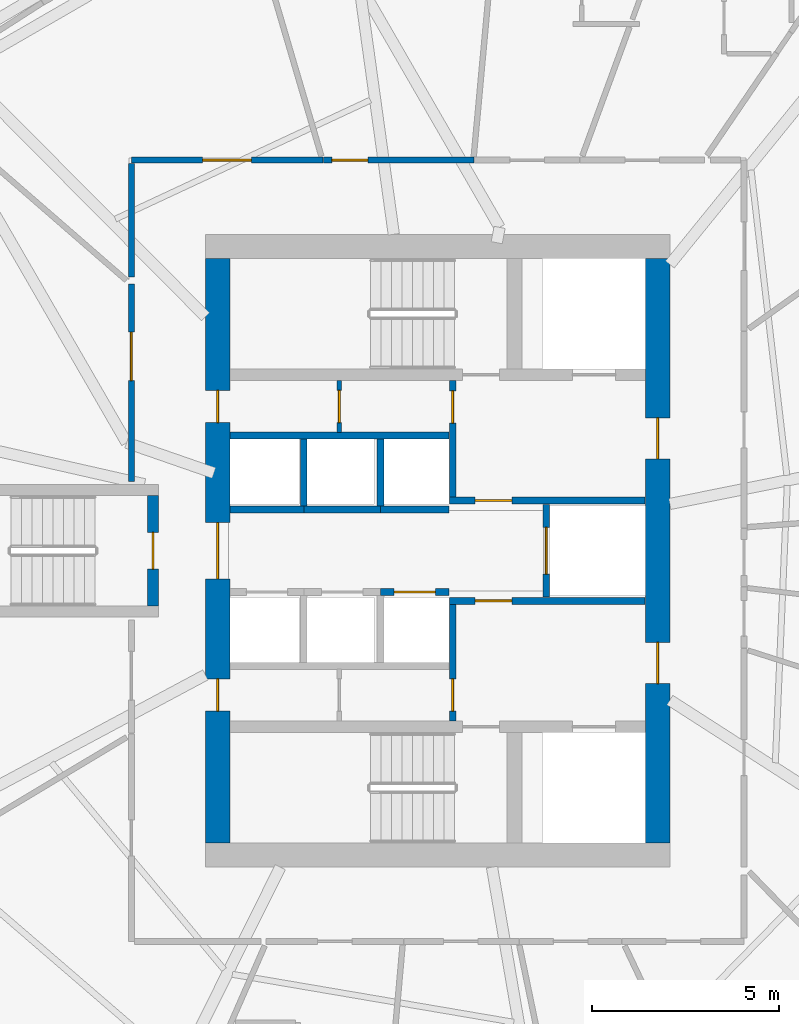
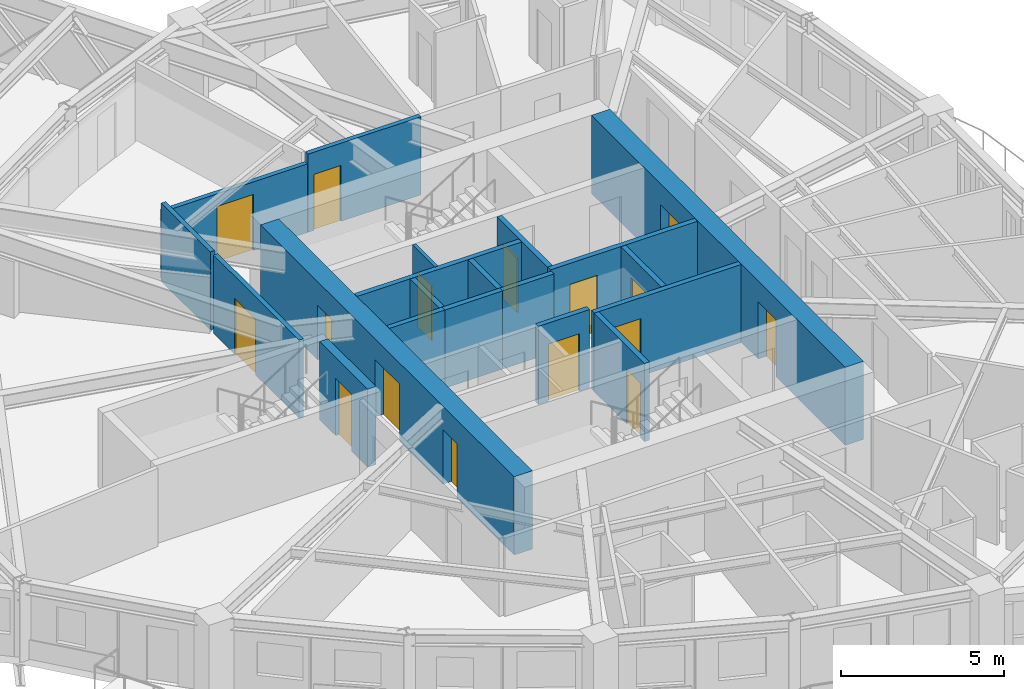
# One storey, part 8 of 16: 20 walls, 16 doors, 16 openings.
"""IFC4 building model written with IfcOpenShell, lengths in metres."""

from ifc_helpers import new_model, si_unit, direction, frame, frame_2d, origin, place, context, subcontext, project, spatial, rectangle, extrude, source, transform, mapped, material, layer, layer_set, type_object, element, fill, save


model = new_model("IFC4")

# Units and contexts
model_context = context("Model", 3, precision=1e-05, world=origin(), true_north=direction((0.0, 1.0)))
body_context = subcontext(model_context, "Body", "Model", "MODEL_VIEW")
ifc_project = project(units=[si_unit("LENGTHUNIT", "METRE"), si_unit("AREAUNIT", "SQUARE_METRE"), si_unit("VOLUMEUNIT", "CUBIC_METRE"), si_unit("PLANEANGLEUNIT", "RADIAN"), si_unit("MASSUNIT", "GRAM", prefix="KILO")], contexts=[model_context])

# Site, building, storey
site_placement = place(None, origin())
site = spatial("IfcSite", under=ifc_project, at=site_placement, CompositionType="ELEMENT")
building_placement = place(site_placement, origin())
building = spatial("IfcBuilding", under=site, at=building_placement, Name="Qafzar Sky-Pleat Residences", CompositionType="ELEMENT")
storey_placement = place(building_placement, frame((0.0, 0.0, 80.0)))
storey = spatial("IfcBuildingStorey", under=building, at=storey_placement, Name="L23", CompositionType="ELEMENT", Elevation=80.0)

# Wall, opening, door
ifc_material_1 = material(Name="Acoustic gypsum plasterboard partition", Category="gypsum")
ifc_layer_1 = layer(ifc_material_1, 0.159912109375)
ifc_layer_set_1 = layer_set([ifc_layer_1], Name="Acoustic gypsum plasterboard partition")
wall_type_1 = type_object("IfcWallType", Name="PART-COR-160", PredefinedType="PARTITIONING", material=ifc_layer_set_1)
wall_1_placement = place(storey_placement, frame((22.169921875, 27.85009765625, 0.0), z_axis=(0.0, 0.0, 1.0), x_axis=(0.0, 1.0, 0.0)))
wall_1 = element("IfcWall", 1, at=wall_1_placement, inside=storey, type_object=wall_type_1, Name="L23 Partition Wall PART-L23-PW-004", PredefinedType="PARTITIONING", context=body_context, shape_type="SweptSolid", body=[
    extrude(rectangle(XDim=5.27587890625, YDim=0.159912109375, at=frame_2d((2.637939453125, 0.0))), origin(), (0.0, 0.0, 1.0), 2.93505859375),
])
opening_1_placement = place(wall_1_placement, frame((2.689453125, 0.0, 0.0)))
opening_1 = element("IfcOpeningElement", 2, at=opening_1_placement, cuts=wall_1, Name="Opening ID-05", PredefinedType="OPENING", context=body_context, shape_type="SweptSolid", body=[
    extrude(rectangle(XDim=1.300048828125, YDim=2.10009765625, at=frame_2d((0.64990234375, 1.050048828125))), frame((0.0, 0.08984375, 0.0), z_axis=(0.0, -1.0, 0.0), x_axis=(1.0, 0.0, 0.0)), (0.0, 0.0, 1.0), 0.179931640625),
])
ifc_material_2 = material(Name="Timber-faced fire door", Category="wood")
door_type_1 = type_object("IfcDoorType", Name="DR-LNG-1300", OperationType="DOUBLE_DOOR_SINGLE_SWING", PredefinedType="DOOR", material=ifc_material_2)
shared_shape_1 = source(origin(), body_context, "Body", "SweptSolid", [
    extrude(rectangle(XDim=1.300048828125, YDim=2.10009765625, at=frame_2d((0.64990234375, 1.050048828125))), frame((0.0, 0.02490234375, 0.0), z_axis=(0.0, -1.0, 0.0), x_axis=(1.0, 0.0, 0.0)), (0.0, 0.0, 1.0), 0.050048828125),
])
door_1_placement = place(opening_1_placement, origin())
door_1 = element("IfcDoor", 3, at=door_1_placement, inside=storey, type_object=door_type_1, Name="L23 Academic Seminar Room Door", OperationType="DOUBLE_DOOR_SINGLE_SWING", OverallHeight=2.10009765625, OverallWidth=1.300048828125, PredefinedType="DOOR", context=body_context, shape_type="MappedRepresentation", body=[
    mapped(shared_shape_1, transform((0.0, 0.0, 0.0), x_axis=(1.0, 0.0, 0.0), y_axis=(0.0, 1.0, 0.0), z_axis=(0.0, 0.0, 1.0), scale=1.0)),
])
fill(opening_1, door_1)

wall_2_placement = place(storey_placement, frame((22.169921875, 36.429931640625, 0.0), z_axis=(0.0, 0.0, 1.0), x_axis=(1.0, 0.0, 0.0)))
wall_2 = element("IfcWall", 4, at=wall_2_placement, inside=storey, type_object=wall_type_1, Name="L23 Partition Wall PART-L23-PW-006", PredefinedType="PARTITIONING", context=body_context, shape_type="SweptSolid", body=[
    extrude(rectangle(XDim=5.1220703125, YDim=0.159912109375, at=frame_2d((2.56103515625, 0.0))), origin(), (0.0, 0.0, 1.0), 2.572998046875),
])
opening_2_placement = place(wall_2_placement, frame((1.903076171875, 0.0, 0.0)))
opening_2 = element("IfcOpeningElement", 5, at=opening_2_placement, cuts=wall_2, Name="Opening ID-05", PredefinedType="OPENING", context=body_context, shape_type="SweptSolid", body=[
    extrude(rectangle(XDim=1.300048828125, YDim=2.10009765625, at=frame_2d((0.64990234375, 1.050048828125))), frame((0.0, 0.08984375, 0.0), z_axis=(0.0, -1.0, 0.0), x_axis=(1.0, 0.0, 0.0)), (0.0, 0.0, 1.0), 0.179931640625),
])
door_2_placement = place(opening_2_placement, origin())
door_2 = element("IfcDoor", 6, at=door_2_placement, inside=storey, type_object=door_type_1, Name="L23 Co-Living Lounge Door", OperationType="DOUBLE_DOOR_SINGLE_SWING", OverallHeight=2.10009765625, OverallWidth=1.300048828125, PredefinedType="DOOR", context=body_context, shape_type="MappedRepresentation", body=[
    mapped(shared_shape_1, transform((0.0, 0.0, 0.0), x_axis=(1.0, 0.0, 0.0), y_axis=(0.0, 1.0, 0.0), z_axis=(0.0, 0.0, 1.0), scale=1.0)),
])
fill(opening_2, door_2)

wall_3_placement = place(storey_placement, frame((27.306884765625, 36.429931640625, 0.0), z_axis=(0.0, 0.0, 1.0), x_axis=(1.0, 0.0, 0.0)))
wall_3 = element("IfcWall", 7, at=wall_3_placement, inside=storey, type_object=wall_type_1, Name="L23 Partition Wall PART-L23-PW-008", PredefinedType="PARTITIONING", context=body_context, shape_type="SweptSolid", body=[
    extrude(rectangle(XDim=4.01318359375, YDim=0.159912109375, at=frame_2d((2.006591796875, 0.0))), origin(), (0.0, 0.0, 1.0), 2.93505859375),
])
opening_3_placement = place(wall_3_placement, frame((0.219970703125, 0.0, 0.0)))
opening_3 = element("IfcOpeningElement", 8, at=opening_3_placement, cuts=wall_3, Name="Opening ID-06", PredefinedType="OPENING", context=body_context, shape_type="SweptSolid", body=[
    extrude(rectangle(XDim=0.9599609375, YDim=2.10009765625, at=frame_2d((0.47998046875, 1.050048828125))), frame((0.0, 0.08984375, 0.0), z_axis=(0.0, -1.0, 0.0), x_axis=(1.0, 0.0, 0.0)), (0.0, 0.0, 1.0), 0.179931640625),
])
door_type_2 = type_object("IfcDoorType", Name="DR-STD-960", OperationType="NOTDEFINED", PredefinedType="DOOR", material=ifc_material_2)
shared_shape_2 = source(origin(), body_context, "Body", "SweptSolid", [
    extrude(rectangle(XDim=0.9599609375, YDim=2.10009765625, at=frame_2d((0.47998046875, 1.050048828125))), frame((0.0, 0.02490234375, 0.0), z_axis=(0.0, -1.0, 0.0), x_axis=(1.0, 0.0, 0.0)), (0.0, 0.0, 1.0), 0.050048828125),
])
door_3_placement = place(opening_3_placement, origin())
door_3 = element("IfcDoor", 9, at=door_3_placement, inside=storey, type_object=door_type_2, Name="L23 Faculty Research Office Door", OperationType="SINGLE_SWING_LEFT", OverallHeight=2.10009765625, OverallWidth=0.9599609375, PredefinedType="DOOR", context=body_context, shape_type="MappedRepresentation", body=[
    mapped(shared_shape_2, transform((0.0, 0.0, 0.0), x_axis=(1.0, 0.0, 0.0), y_axis=(0.0, 1.0, 0.0), z_axis=(0.0, 0.0, 1.0), scale=1.0)),
])
fill(opening_3, door_3)

# Wall
wall_4_placement = place(storey_placement, frame((22.169921875, 33.314697265625, 0.0), z_axis=(0.0, 0.0, 1.0), x_axis=(0.0, 1.0, 0.0)))
element("IfcWall", 10, at=wall_4_placement, inside=storey, type_object=wall_type_1, Name="L23 Partition Wall PART-L23-PW-045", PredefinedType="PARTITIONING", context=body_context, shape_type="SweptSolid", body=[
    extrude(rectangle(XDim=3.02734375, YDim=0.159912109375, at=frame_2d((1.513671875, 0.0))), origin(), (0.0, 0.0, 1.0), 2.93505859375),
])

# Wall, opening, door
ifc_material_3 = material(Name="Concrete blockwork partition", Category="masonry")
ifc_layer_2 = layer(ifc_material_3, 0.179931640625)
ifc_layer_set_2 = layer_set([ifc_layer_2], Name="Concrete blockwork partition")
wall_type_2 = type_object("IfcWallType", Name="PART-SHAFT-180", PredefinedType="PARTITIONING", material=ifc_layer_set_2)
wall_5_placement = place(storey_placement, frame((30.75, 21.4599609375, 0.0), z_axis=(0.0, 0.0, 1.0), x_axis=(0.0, 1.0, 0.0)))
wall_5 = element("IfcWall", 11, at=wall_5_placement, inside=storey, type_object=wall_type_2, Name="L23 Partition Wall PART-L23-FFL1-W", PredefinedType="PARTITIONING", context=body_context, shape_type="SweptSolid", body=[
    extrude(rectangle(XDim=3.110107421875, YDim=0.179931640625, at=frame_2d((1.55517578125, 0.0))), origin(), (0.0, 0.0, 1.0), 2.93505859375),
])
opening_4_placement = place(wall_5_placement, frame((0.260009765625, 0.0, 0.0)))
opening_4 = element("IfcOpeningElement", 12, at=opening_4_placement, cuts=wall_5, Name="Opening ID-09", PredefinedType="OPENING", context=body_context, shape_type="SweptSolid", body=[
    extrude(rectangle(XDim=0.860107421875, YDim=2.050048828125, at=frame_2d((0.43017578125, 1.02490234375))), frame((0.0, 0.10009765625, 0.0), z_axis=(0.0, -1.0, 0.0), x_axis=(1.0, 0.0, 0.0)), (0.0, 0.0, 1.0), 0.199951171875),
])
door_type_3 = type_object("IfcDoorType", Name="DR-SVC-860", OperationType="NOTDEFINED", PredefinedType="DOOR", material=ifc_material_2)
shared_shape_3 = source(origin(), body_context, "Body", "SweptSolid", [
    extrude(rectangle(XDim=0.860107421875, YDim=2.050048828125, at=frame_2d((0.43017578125, 1.02490234375))), frame((0.0, 0.02490234375, 0.0), z_axis=(0.0, -1.0, 0.0), x_axis=(1.0, 0.0, 0.0)), (0.0, 0.0, 1.0), 0.050048828125),
])
door_4_placement = place(opening_4_placement, origin())
door_4 = element("IfcDoor", 13, at=door_4_placement, inside=storey, type_object=door_type_3, Name="L23 South Core Cupboard Door", OperationType="SINGLE_SWING_RIGHT", OverallHeight=2.050048828125, OverallWidth=0.860107421875, PredefinedType="DOOR", context=body_context, shape_type="MappedRepresentation", body=[
    mapped(shared_shape_3, transform((0.0, 0.0, 0.0), x_axis=(1.0, 0.0, 0.0), y_axis=(0.0, 1.0, 0.0), z_axis=(0.0, 0.0, 1.0), scale=1.0)),
])
fill(opening_4, door_4)

wall_6_placement = place(storey_placement, frame((30.669921875, 24.659912109375, 0.0), z_axis=(0.0, 0.0, 1.0), x_axis=(1.0, 0.0, 0.0)))
wall_6 = element("IfcWall", 14, at=wall_6_placement, inside=storey, type_object=wall_type_2, Name="L23 Partition Wall PART-L23-FFL1-N", PredefinedType="PARTITIONING", context=body_context, shape_type="SweptSolid", body=[
    extrude(rectangle(XDim=5.219970703125, YDim=0.179931640625, at=frame_2d((2.60986328125, 0.0))), origin(), (0.0, 0.0, 1.0), 2.93505859375),
])
opening_5_placement = place(wall_6_placement, frame((0.679931640625, 0.0, 0.0)))
opening_5 = element("IfcOpeningElement", 15, at=opening_5_placement, cuts=wall_6, Name="Opening ID-01", PredefinedType="OPENING", context=body_context, shape_type="SweptSolid", body=[
    extrude(rectangle(XDim=0.97998046875, YDim=2.14990234375, at=frame_2d((0.489990234375, 1.074951171875))), frame((0.0, 0.10009765625, 0.0), z_axis=(0.0, -1.0, 0.0), x_axis=(1.0, 0.0, 0.0)), (0.0, 0.0, 1.0), 0.199951171875),
])
door_type_4 = type_object("IfcDoorType", Name="DR-STAIR-980", OperationType="NOTDEFINED", PredefinedType="DOOR", material=ifc_material_2)
shared_shape_4 = source(origin(), body_context, "Body", "SweptSolid", [
    extrude(rectangle(XDim=0.97998046875, YDim=2.14990234375, at=frame_2d((0.489990234375, 1.074951171875))), frame((0.0, 0.02490234375, 0.0), z_axis=(0.0, -1.0, 0.0), x_axis=(1.0, 0.0, 0.0)), (0.0, 0.0, 1.0), 0.050048828125),
])
door_5_placement = place(opening_5_placement, origin())
door_5 = element("IfcDoor", 16, at=door_5_placement, inside=storey, type_object=door_type_4, Name="L23 Lift Lobby to South Firefighting Lobby Door", OperationType="SINGLE_SWING_LEFT", OverallHeight=2.14990234375, OverallWidth=0.97998046875, PredefinedType="DOOR", context=body_context, shape_type="MappedRepresentation", body=[
    mapped(shared_shape_4, transform((0.0, 0.0, 0.0), x_axis=(1.0, 0.0, 0.0), y_axis=(0.0, 1.0, 0.0), z_axis=(0.0, 0.0, 1.0), scale=1.0)),
])
fill(opening_5, door_5)

wall_7_placement = place(storey_placement, frame((30.75, 27.429931640625, 0.0), z_axis=(0.0, 0.0, 1.0), x_axis=(0.0, 1.0, 0.0)))
wall_7 = element("IfcWall", 17, at=wall_7_placement, inside=storey, type_object=wall_type_2, Name="L23 Partition Wall PART-L23-FFL2-W", PredefinedType="PARTITIONING", context=body_context, shape_type="SweptSolid", body=[
    extrude(rectangle(XDim=3.110107421875, YDim=0.179931640625, at=frame_2d((1.55517578125, 0.0))), origin(), (0.0, 0.0, 1.0), 2.93505859375),
])
opening_6_placement = place(wall_7_placement, frame((1.97998046875, 0.0, 0.0)))
opening_6 = element("IfcOpeningElement", 18, at=opening_6_placement, cuts=wall_7, Name="Opening ID-09", PredefinedType="OPENING", context=body_context, shape_type="SweptSolid", body=[
    extrude(rectangle(XDim=0.860107421875, YDim=2.050048828125, at=frame_2d((0.43017578125, 1.02490234375))), frame((0.0, 0.10009765625, 0.0), z_axis=(0.0, -1.0, 0.0), x_axis=(1.0, 0.0, 0.0)), (0.0, 0.0, 1.0), 0.199951171875),
])
door_6_placement = place(opening_6_placement, origin())
door_6 = element("IfcDoor", 19, at=door_6_placement, inside=storey, type_object=door_type_3, Name="L23 North Core Cupboard Door", OperationType="SINGLE_SWING_RIGHT", OverallHeight=2.050048828125, OverallWidth=0.860107421875, PredefinedType="DOOR", context=body_context, shape_type="MappedRepresentation", body=[
    mapped(shared_shape_3, transform((0.0, 0.0, 0.0), x_axis=(1.0, 0.0, 0.0), y_axis=(0.0, 1.0, 0.0), z_axis=(0.0, 0.0, 1.0), scale=1.0)),
])
fill(opening_6, door_6)

wall_8_placement = place(storey_placement, frame((30.669921875, 27.340087890625, 0.0), z_axis=(0.0, 0.0, 1.0), x_axis=(1.0, 0.0, 0.0)))
wall_8 = element("IfcWall", 20, at=wall_8_placement, inside=storey, type_object=wall_type_2, Name="L23 Partition Wall PART-L23-FFL2-S", PredefinedType="PARTITIONING", context=body_context, shape_type="SweptSolid", body=[
    extrude(rectangle(XDim=5.219970703125, YDim=0.179931640625, at=frame_2d((2.60986328125, 0.0))), origin(), (0.0, 0.0, 1.0), 2.93505859375),
])
opening_7_placement = place(wall_8_placement, frame((0.679931640625, 0.0, 0.0)))
opening_7 = element("IfcOpeningElement", 21, at=opening_7_placement, cuts=wall_8, Name="Opening ID-01", PredefinedType="OPENING", context=body_context, shape_type="SweptSolid", body=[
    extrude(rectangle(XDim=0.97998046875, YDim=2.14990234375, at=frame_2d((0.489990234375, 1.074951171875))), frame((0.0, 0.10009765625, 0.0), z_axis=(0.0, -1.0, 0.0), x_axis=(1.0, 0.0, 0.0)), (0.0, 0.0, 1.0), 0.199951171875),
])
door_7_placement = place(opening_7_placement, origin())
door_7 = element("IfcDoor", 22, at=door_7_placement, inside=storey, type_object=door_type_4, Name="L23 Lift Lobby to North Firefighting Lobby Door", OperationType="SINGLE_SWING_LEFT", OverallHeight=2.14990234375, OverallWidth=0.97998046875, PredefinedType="DOOR", context=body_context, shape_type="MappedRepresentation", body=[
    mapped(shared_shape_4, transform((0.0, 0.0, 0.0), x_axis=(1.0, 0.0, 0.0), y_axis=(0.0, 1.0, 0.0), z_axis=(0.0, 0.0, 1.0), scale=1.0)),
])
fill(opening_7, door_7)

wall_9_placement = place(storey_placement, frame((33.25, 24.760009765625, 0.0), z_axis=(0.0, 0.0, 1.0), x_axis=(0.0, 1.0, 0.0)))
wall_9 = element("IfcWall", 23, at=wall_9_placement, inside=storey, type_object=wall_type_2, Name="L23 Partition Wall PART-L23-SV1-W", PredefinedType="PARTITIONING", context=body_context, shape_type="SweptSolid", body=[
    extrude(rectangle(XDim=2.47998046875, YDim=0.179931640625, at=frame_2d((1.239990234375, 0.0))), origin(), (0.0, 0.0, 1.0), 2.93505859375),
])
opening_8_placement = place(wall_9_placement, frame((0.614990234375, 0.0, 0.0)))
opening_8 = element("IfcOpeningElement", 24, at=opening_8_placement, cuts=wall_9, Name="Opening LD-03", PredefinedType="OPENING", context=body_context, shape_type="SweptSolid", body=[
    extrude(rectangle(XDim=1.25, YDim=2.14990234375, at=frame_2d((0.625, 1.074951171875))), frame((0.0, 0.10009765625, 0.0), z_axis=(0.0, -1.0, 0.0), x_axis=(1.0, 0.0, 0.0)), (0.0, 0.0, 1.0), 0.199951171875),
])
ifc_material_4 = material(Name="Stainless steel sliding landing door", Category="steel")
door_type_5 = type_object("IfcDoorType", Name="DR-LIFT-SV", OperationType="DOUBLE_DOOR_SLIDING", PredefinedType="DOOR", material=ifc_material_4)
shared_shape_5 = source(origin(), body_context, "Body", "SweptSolid", [
    extrude(rectangle(XDim=1.25, YDim=2.14990234375, at=frame_2d((0.625, 1.074951171875))), frame((0.0, 0.02490234375, 0.0), z_axis=(0.0, -1.0, 0.0), x_axis=(1.0, 0.0, 0.0)), (0.0, 0.0, 1.0), 0.050048828125),
])
door_8_placement = place(opening_8_placement, origin())
door_8 = element("IfcDoor", 25, at=door_8_placement, inside=storey, type_object=door_type_5, Name="L23 Service Lift SV1 Landing Door", OperationType="DOUBLE_DOOR_SLIDING", OverallHeight=2.14990234375, OverallWidth=1.25, PredefinedType="DOOR", context=body_context, shape_type="MappedRepresentation", body=[
    mapped(shared_shape_5, transform((0.0, 0.0, 0.0), x_axis=(1.0, 0.0, 0.0), y_axis=(0.0, 1.0, 0.0), z_axis=(0.0, 0.0, 1.0), scale=1.0)),
])
fill(opening_8, door_8)

wall_10_placement = place(storey_placement, frame((28.824951171875, 24.89990234375, 0.0), z_axis=(0.0, 0.0, 1.0), x_axis=(1.0, 0.0, 0.0)))
wall_10 = element("IfcWall", 26, at=wall_10_placement, inside=storey, type_object=wall_type_2, Name="L23 Partition Wall PART-L23-P3-N", PredefinedType="PARTITIONING", context=body_context, shape_type="SweptSolid", body=[
    extrude(rectangle(XDim=1.824951171875, YDim=0.179931640625, at=frame_2d((0.91259765625, 0.0))), origin(), (0.0, 0.0, 1.0), 2.93505859375),
])
opening_9_placement = place(wall_10_placement, frame((0.362548828125, 0.0, 0.0)))
opening_9 = element("IfcOpeningElement", 27, at=opening_9_placement, cuts=wall_10, Name="Opening LD-01", PredefinedType="OPENING", context=body_context, shape_type="SweptSolid", body=[
    extrude(rectangle(XDim=1.10009765625, YDim=2.14990234375, at=frame_2d((0.550048828125, 1.074951171875))), frame((0.0, 0.10009765625, 0.0), z_axis=(0.0, -1.0, 0.0), x_axis=(1.0, 0.0, 0.0)), (0.0, 0.0, 1.0), 0.199951171875),
])
door_type_6 = type_object("IfcDoorType", Name="DR-LIFT-P", OperationType="DOUBLE_DOOR_SLIDING", PredefinedType="DOOR", material=ifc_material_4)
shared_shape_6 = source(origin(), body_context, "Body", "SweptSolid", [
    extrude(rectangle(XDim=1.10009765625, YDim=2.14990234375, at=frame_2d((0.550048828125, 1.074951171875))), frame((0.0, 0.02490234375, 0.0), z_axis=(0.0, -1.0, 0.0), x_axis=(1.0, 0.0, 0.0)), (0.0, 0.0, 1.0), 0.050048828125),
])
door_9_placement = place(opening_9_placement, origin())
door_9 = element("IfcDoor", 28, at=door_9_placement, inside=storey, type_object=door_type_6, Name="L23 Passenger Lift P3 Landing Door", OperationType="DOUBLE_DOOR_SLIDING", OverallHeight=2.14990234375, OverallWidth=1.10009765625, PredefinedType="DOOR", context=body_context, shape_type="MappedRepresentation", body=[
    mapped(shared_shape_6, transform((0.0, 0.0, 0.0), x_axis=(1.0, 0.0, 0.0), y_axis=(0.0, 1.0, 0.0), z_axis=(0.0, 0.0, 1.0), scale=1.0)),
])
fill(opening_9, door_9)

# Walls
wall_11_placement = place(storey_placement, frame((24.81005859375, 29.080078125, 0.0), z_axis=(0.0, 0.0, 1.0), x_axis=(1.0, 0.0, 0.0)))
element("IfcWall", 29, at=wall_11_placement, inside=storey, type_object=wall_type_2, Name="L23 Partition Wall PART-L23-P46-N", PredefinedType="PARTITIONING", context=body_context, shape_type="SweptSolid", body=[
    extrude(rectangle(XDim=5.83984375, YDim=0.179931640625, at=frame_2d((2.919921875, 0.0))), origin(), (0.0, 0.0, 1.0), 2.93505859375),
])
wall_12_placement = place(storey_placement, frame((24.81005859375, 27.10009765625, 0.0), z_axis=(0.0, 0.0, 1.0), x_axis=(1.0, 0.0, 0.0)))
element("IfcWall", 30, at=wall_12_placement, inside=storey, type_object=wall_type_2, Name="L23 Partition Wall PART-L23-P4-S", PredefinedType="PARTITIONING", context=body_context, shape_type="SweptSolid", body=[
    extrude(rectangle(XDim=1.96484375, YDim=0.179931640625, at=frame_2d((0.982421875, 0.0))), origin(), (0.0, 0.0, 1.0), 2.93505859375),
])
wall_13_placement = place(storey_placement, frame((26.77490234375, 27.10009765625, 0.0), z_axis=(0.0, 0.0, 1.0), x_axis=(1.0, 0.0, 0.0)))
element("IfcWall", 31, at=wall_13_placement, inside=storey, type_object=wall_type_2, Name="L23 Partition Wall PART-L23-P5-S", PredefinedType="PARTITIONING", context=body_context, shape_type="SweptSolid", body=[
    extrude(rectangle(XDim=2.050048828125, YDim=0.179931640625, at=frame_2d((1.02490234375, 0.0))), origin(), (0.0, 0.0, 1.0), 2.93505859375),
])
wall_14_placement = place(storey_placement, frame((26.77490234375, 27.199951171875, 0.0), z_axis=(0.0, 0.0, 1.0), x_axis=(0.0, 1.0, 0.0)))
element("IfcWall", 32, at=wall_14_placement, inside=storey, type_object=wall_type_2, Name="L23 Partition Wall PART-L23-P46-DIV-1", PredefinedType="PARTITIONING", context=body_context, shape_type="SweptSolid", body=[
    extrude(rectangle(XDim=1.780029296875, YDim=0.179931640625, at=frame_2d((0.89013671875, 0.0))), origin(), (0.0, 0.0, 1.0), 2.93505859375),
])
wall_15_placement = place(storey_placement, frame((28.824951171875, 27.10009765625, 0.0), z_axis=(0.0, 0.0, 1.0), x_axis=(1.0, 0.0, 0.0)))
element("IfcWall", 33, at=wall_15_placement, inside=storey, type_object=wall_type_2, Name="L23 Partition Wall PART-L23-P6-S", PredefinedType="PARTITIONING", context=body_context, shape_type="SweptSolid", body=[
    extrude(rectangle(XDim=1.824951171875, YDim=0.179931640625, at=frame_2d((0.91259765625, 0.0))), origin(), (0.0, 0.0, 1.0), 2.93505859375),
])
wall_16_placement = place(storey_placement, frame((28.824951171875, 27.199951171875, 0.0), z_axis=(0.0, 0.0, 1.0), x_axis=(0.0, 1.0, 0.0)))
element("IfcWall", 34, at=wall_16_placement, inside=storey, type_object=wall_type_2, Name="L23 Partition Wall PART-L23-P46-DIV-2", PredefinedType="PARTITIONING", context=body_context, shape_type="SweptSolid", body=[
    extrude(rectangle(XDim=1.780029296875, YDim=0.179931640625, at=frame_2d((0.89013671875, 0.0))), origin(), (0.0, 0.0, 1.0), 2.93505859375),
])

# Wall, opening, door
ifc_material_5 = material(Name="Gypsum plasterboard partition", Category="gypsum")
ifc_layer_3 = layer(ifc_material_5, 0.114990234375)
ifc_layer_set_3 = layer_set([ifc_layer_3], Name="Gypsum plasterboard partition")
wall_type_3 = type_object("IfcWallType", Name="PART-SVC-115", PredefinedType="PARTITIONING", material=ifc_layer_set_3)
wall_17_placement = place(storey_placement, frame((27.72509765625, 29.159912109375, 0.0), z_axis=(0.0, 0.0, 1.0), x_axis=(0.0, 1.0, 0.0)))
wall_17 = element("IfcWall", 35, at=wall_17_placement, inside=storey, type_object=wall_type_3, Name="L23 Partition Wall PART-L23-KB-NW", PredefinedType="PARTITIONING", context=body_context, shape_type="SweptSolid", body=[
    extrude(rectangle(XDim=1.380126953125, YDim=0.114990234375, at=frame_2d((0.68994140625, 0.0))), origin(), (0.0, 0.0, 1.0), 2.93505859375),
])
opening_10_placement = place(wall_17_placement, frame((0.260009765625, 0.0, 0.0)))
opening_10 = element("IfcOpeningElement", 36, at=opening_10_placement, cuts=wall_17, Name="Opening ID-09", PredefinedType="OPENING", context=body_context, shape_type="SweptSolid", body=[
    extrude(rectangle(XDim=0.860107421875, YDim=2.050048828125, at=frame_2d((0.43017578125, 1.02490234375))), frame((0.0, 0.0673828125, 0.0), z_axis=(0.0, -1.0, 0.0), x_axis=(1.0, 0.0, 0.0)), (0.0, 0.0, 1.0), 0.135009765625),
])
door_10_placement = place(opening_10_placement, origin())
door_10 = element("IfcDoor", 37, at=door_10_placement, inside=storey, type_object=door_type_3, Name="L23 IT Cupboard Door", OperationType="SINGLE_SWING_LEFT", OverallHeight=2.050048828125, OverallWidth=0.860107421875, PredefinedType="DOOR", context=body_context, shape_type="MappedRepresentation", body=[
    mapped(shared_shape_3, transform((0.0, 0.0, 0.0), x_axis=(1.0, 0.0, 0.0), y_axis=(0.0, 1.0, 0.0), z_axis=(0.0, 0.0, 1.0), scale=1.0)),
])
fill(opening_10, door_10)

ifc_material_6 = material(Name="Concrete C60/75", Category="concrete")
ifc_layer_4 = layer(ifc_material_6, 0.300048828125)
ifc_layer_set_4 = layer_set([ifc_layer_4], Name="Concrete C60/75")
wall_type_4 = type_object("IfcWallType", Name="WALL-SHEAR-300", PredefinedType="SHEAR", material=ifc_layer_set_4)
wall_18_placement = place(storey_placement, frame((22.75, 24.52490234375, 0.0), z_axis=(0.0, 0.0, 1.0), x_axis=(0.0, 1.0, 0.0)))
wall_18 = element("IfcWall", 38, at=wall_18_placement, inside=storey, type_object=wall_type_4, Name="L23 ST3 wall E", PredefinedType="SHEAR", context=body_context, shape_type="SweptSolid", body=[
    extrude(rectangle(XDim=2.9501953125, YDim=0.300048828125, at=frame_2d((1.47509765625, 0.0))), origin(), (0.0, 0.0, 1.0), 2.93505859375),
])
opening_11_placement = place(wall_18_placement, frame((0.985107421875, 0.0, 0.0)))
opening_11 = element("IfcOpeningElement", 39, at=opening_11_placement, cuts=wall_18, Name="Opening ID-01", PredefinedType="OPENING", context=body_context, shape_type="SweptSolid", body=[
    extrude(rectangle(XDim=0.97998046875, YDim=2.14990234375, at=frame_2d((0.489990234375, 1.074951171875))), frame((0.0, 0.16015625, 0.0), z_axis=(0.0, -1.0, 0.0), x_axis=(1.0, 0.0, 0.0)), (0.0, 0.0, 1.0), 0.320068359375),
])
door_11_placement = place(opening_11_placement, origin())
door_11 = element("IfcDoor", 40, at=door_11_placement, inside=storey, type_object=door_type_4, Name="L23 Stair ST3 Fire Door", OperationType="SINGLE_SWING_LEFT", OverallHeight=2.14990234375, OverallWidth=0.97998046875, PredefinedType="DOOR", context=body_context, shape_type="MappedRepresentation", body=[
    mapped(shared_shape_4, transform((0.0, 0.0, 0.0), x_axis=(1.0, 0.0, 0.0), y_axis=(0.0, 1.0, 0.0), z_axis=(0.0, 0.0, 1.0), scale=1.0)),
])
fill(opening_11, door_11)

# Wall, openings, doors
ifc_layer_5 = layer(ifc_material_6, 0.64990234375)
ifc_layer_set_5 = layer_set([ifc_layer_5], Name="Concrete C60/75")
wall_type_5 = type_object("IfcWallType", Name="WALL-SHEAR-650", PredefinedType="SHEAR", material=ifc_layer_set_5)
wall_19_placement = place(storey_placement, frame((24.47509765625, 33.800048828125, 0.0), z_axis=(0.0, 0.0, 1.0), x_axis=(0.0, -1.0, 0.0)))
wall_19 = element("IfcWall", 41, at=wall_19_placement, inside=storey, type_object=wall_type_5, Name="L23 CORE wall W", PredefinedType="SHEAR", context=body_context, shape_type="SweptSolid", body=[
    extrude(rectangle(XDim=15.60009765625, YDim=0.64990234375, at=frame_2d((7.800048828125, 0.0))), origin(), (0.0, 0.0, 1.0), 2.93505859375),
])
opening_12_placement = place(wall_19_placement, frame((7.050048828125, 0.0, 0.0)))
opening_12 = element("IfcOpeningElement", 42, at=opening_12_placement, cuts=wall_19, Name="Opening ID-03", PredefinedType="OPENING", context=body_context, shape_type="SweptSolid", body=[
    extrude(rectangle(XDim=1.5, YDim=2.14990234375, at=frame_2d((0.75, 1.074951171875))), frame((0.0, 0.3349609375, 0.0), z_axis=(0.0, -1.0, 0.0), x_axis=(1.0, 0.0, 0.0)), (0.0, 0.0, 1.0), 0.669921875),
])
opening_13_placement = place(wall_19_placement, frame((3.52001953125, 0.0, 0.0)))
opening_13 = element("IfcOpeningElement", 43, at=opening_13_placement, cuts=wall_19, Name="Opening ID-09", PredefinedType="OPENING", context=body_context, shape_type="SweptSolid", body=[
    extrude(rectangle(XDim=0.860107421875, YDim=2.050048828125, at=frame_2d((0.43017578125, 1.02490234375))), frame((0.0, 0.3349609375, 0.0), z_axis=(0.0, -1.0, 0.0), x_axis=(1.0, 0.0, 0.0)), (0.0, 0.0, 1.0), 0.669921875),
])
opening_14_placement = place(wall_19_placement, frame((11.219970703125, 0.0, 0.0)))
opening_14 = element("IfcOpeningElement", 44, at=opening_14_placement, cuts=wall_19, Name="Opening ID-09", PredefinedType="OPENING", context=body_context, shape_type="SweptSolid", body=[
    extrude(rectangle(XDim=0.860107421875, YDim=2.050048828125, at=frame_2d((0.43017578125, 1.02490234375))), frame((0.0, 0.3349609375, 0.0), z_axis=(0.0, -1.0, 0.0), x_axis=(1.0, 0.0, 0.0)), (0.0, 0.0, 1.0), 0.669921875),
])
door_type_7 = type_object("IfcDoorType", Name="DR-COR-1500", OperationType="DOUBLE_DOOR_SINGLE_SWING", PredefinedType="DOOR", material=ifc_material_2)
shared_shape_7 = source(origin(), body_context, "Body", "SweptSolid", [
    extrude(rectangle(XDim=1.5, YDim=2.14990234375, at=frame_2d((0.75, 1.074951171875))), frame((0.0, 0.02490234375, 0.0), z_axis=(0.0, -1.0, 0.0), x_axis=(1.0, 0.0, 0.0)), (0.0, 0.0, 1.0), 0.050048828125),
])
door_12_placement = place(opening_12_placement, origin())
door_12 = element("IfcDoor", 45, at=door_12_placement, inside=storey, type_object=door_type_7, Name="L23 Lift Lobby West Double Door", OperationType="DOUBLE_DOOR_SINGLE_SWING", OverallHeight=2.14990234375, OverallWidth=1.5, PredefinedType="DOOR", context=body_context, shape_type="MappedRepresentation", body=[
    mapped(shared_shape_7, transform((0.0, 0.0, 0.0), x_axis=(1.0, 0.0, 0.0), y_axis=(0.0, 1.0, 0.0), z_axis=(0.0, 0.0, 1.0), scale=1.0)),
])
fill(opening_12, door_12)
door_13_placement = place(opening_13_placement, origin())
door_13 = element("IfcDoor", 46, at=door_13_placement, inside=storey, type_object=door_type_3, Name="L23 Core North-West Service Door", OperationType="SINGLE_SWING_RIGHT", OverallHeight=2.050048828125, OverallWidth=0.860107421875, PredefinedType="DOOR", context=body_context, shape_type="MappedRepresentation", body=[
    mapped(shared_shape_3, transform((0.0, 0.0, 0.0), x_axis=(1.0, 0.0, 0.0), y_axis=(0.0, 1.0, 0.0), z_axis=(0.0, 0.0, 1.0), scale=1.0)),
])
fill(opening_13, door_13)
door_14_placement = place(opening_14_placement, origin())
door_14 = element("IfcDoor", 47, at=door_14_placement, inside=storey, type_object=door_type_3, Name="L23 Core South-West Service Door", OperationType="SINGLE_SWING_LEFT", OverallHeight=2.050048828125, OverallWidth=0.860107421875, PredefinedType="DOOR", context=body_context, shape_type="MappedRepresentation", body=[
    mapped(shared_shape_3, transform((0.0, 0.0, 0.0), x_axis=(1.0, 0.0, 0.0), y_axis=(0.0, 1.0, 0.0), z_axis=(0.0, 0.0, 1.0), scale=1.0)),
])
fill(opening_14, door_14)

wall_20_placement = place(storey_placement, frame((36.22509765625, 18.199951171875, 0.0), z_axis=(0.0, 0.0, 1.0), x_axis=(0.0, 1.0, 0.0)))
wall_20 = element("IfcWall", 48, at=wall_20_placement, inside=storey, type_object=wall_type_5, Name="L23 CORE wall E", PredefinedType="SHEAR", context=body_context, shape_type="SweptSolid", body=[
    extrude(rectangle(XDim=15.60009765625, YDim=0.64990234375, at=frame_2d((7.800048828125, 0.0))), origin(), (0.0, 0.0, 1.0), 2.93505859375),
])
opening_15_placement = place(wall_20_placement, frame((4.25, 0.0, 0.0)))
opening_15 = element("IfcOpeningElement", 49, at=opening_15_placement, cuts=wall_20, Name="Opening ID-02", PredefinedType="OPENING", context=body_context, shape_type="SweptSolid", body=[
    extrude(rectangle(XDim=1.10009765625, YDim=2.14990234375, at=frame_2d((0.550048828125, 1.074951171875))), frame((0.0, 0.3349609375, 0.0), z_axis=(0.0, -1.0, 0.0), x_axis=(1.0, 0.0, 0.0)), (0.0, 0.0, 1.0), 0.669921875),
])
opening_16_placement = place(wall_20_placement, frame((10.25, 0.0, 0.0)))
opening_16 = element("IfcOpeningElement", 50, at=opening_16_placement, cuts=wall_20, Name="Opening ID-02", PredefinedType="OPENING", context=body_context, shape_type="SweptSolid", body=[
    extrude(rectangle(XDim=1.10009765625, YDim=2.14990234375, at=frame_2d((0.550048828125, 1.074951171875))), frame((0.0, 0.3349609375, 0.0), z_axis=(0.0, -1.0, 0.0), x_axis=(1.0, 0.0, 0.0)), (0.0, 0.0, 1.0), 0.669921875),
])
door_type_8 = type_object("IfcDoorType", Name="DR-FFL-1100", OperationType="NOTDEFINED", PredefinedType="DOOR", material=ifc_material_2)
door_15_placement = place(opening_15_placement, origin())
door_15 = element("IfcDoor", 51, at=door_15_placement, inside=storey, type_object=door_type_8, Name="L23 Firefighting Lobby South Corridor Door", OperationType="SINGLE_SWING_RIGHT", OverallHeight=2.14990234375, OverallWidth=1.10009765625, PredefinedType="DOOR", context=body_context, shape_type="MappedRepresentation", body=[
    mapped(shared_shape_6, transform((0.0, 0.0, 0.0), x_axis=(1.0, 0.0, 0.0), y_axis=(0.0, 1.0, 0.0), z_axis=(0.0, 0.0, 1.0), scale=1.0)),
])
fill(opening_15, door_15)
door_16_placement = place(opening_16_placement, origin())
door_16 = element("IfcDoor", 52, at=door_16_placement, inside=storey, type_object=door_type_8, Name="L23 Firefighting Lobby North Corridor Door", OperationType="SINGLE_SWING_LEFT", OverallHeight=2.14990234375, OverallWidth=1.10009765625, PredefinedType="DOOR", context=body_context, shape_type="MappedRepresentation", body=[
    mapped(shared_shape_6, transform((0.0, 0.0, 0.0), x_axis=(1.0, 0.0, 0.0), y_axis=(0.0, 1.0, 0.0), z_axis=(0.0, 0.0, 1.0), scale=1.0)),
])
fill(opening_16, door_16)

save(model, "model.ifc")
